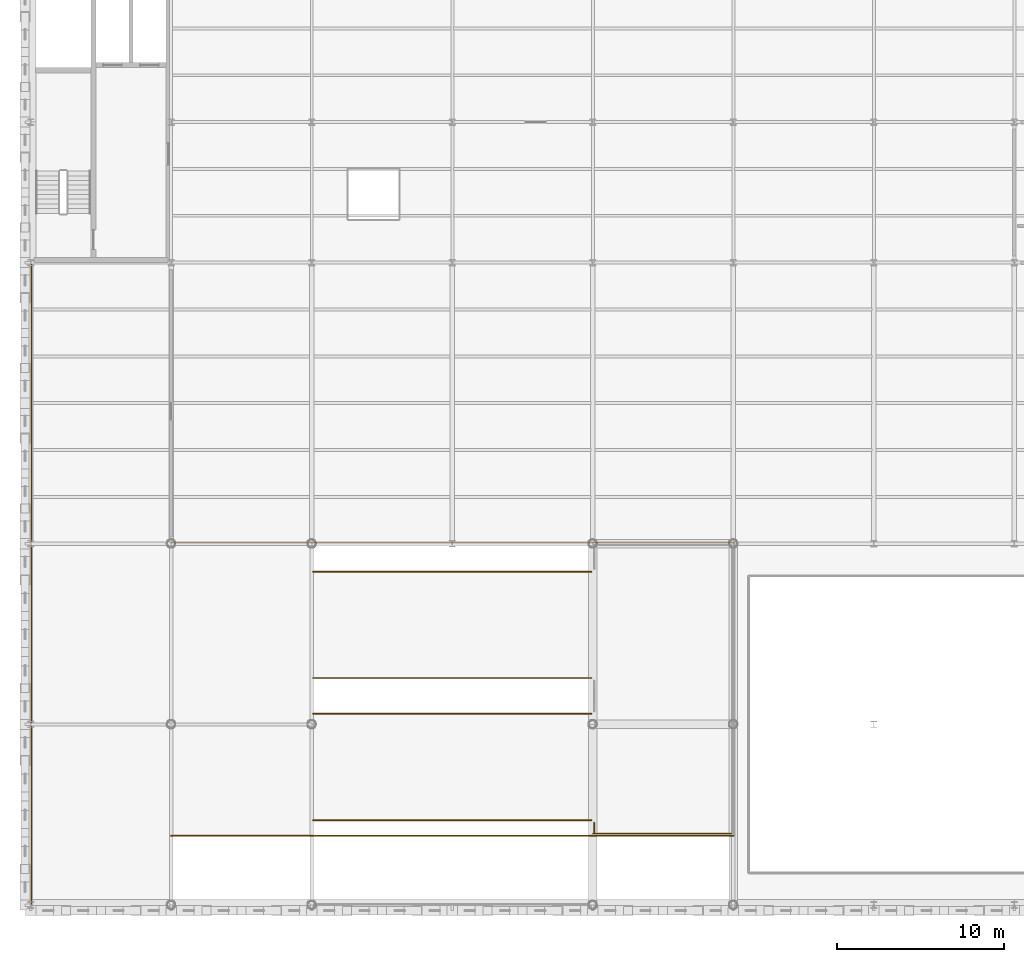
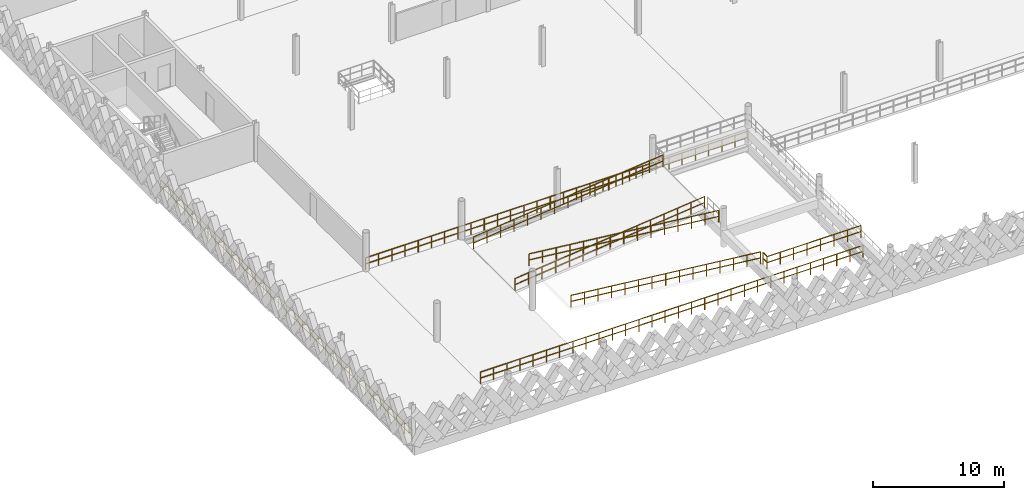
# One storey, part 64 of 74: 9 railings.
"""IFC4 building model written with IfcOpenShell, lengths in metres."""

from ifc_helpers import new_model, si_unit, direction, frame, origin, origin_2d, place, context, subcontext, project, spatial, circle, extrude, material, type_object, element, save


model = new_model("IFC4")

# Units and contexts
model_context = context("Model", 3, precision=1e-05, world=origin(), true_north=direction((0.0, 1.0)))
body_context = subcontext(model_context, "Body", "Model", "MODEL_VIEW")
ifc_project = project(units=[si_unit("LENGTHUNIT", "METRE"), si_unit("AREAUNIT", "SQUARE_METRE"), si_unit("VOLUMEUNIT", "CUBIC_METRE"), si_unit("PLANEANGLEUNIT", "RADIAN"), si_unit("MASSUNIT", "GRAM", prefix="KILO"), si_unit("THERMODYNAMICTEMPERATUREUNIT", "KELVIN"), si_unit("POWERUNIT", "WATT")], contexts=[model_context])

# Site, building, storey
site_placement = place(None, origin())
site = spatial("IfcSite", under=ifc_project, at=site_placement, CompositionType="ELEMENT")
building_placement = place(site_placement, origin())
building = spatial("IfcBuilding", under=site, at=building_placement, Name="Tembeka Court Mobility Hub", CompositionType="ELEMENT")
storey_placement = place(building_placement, frame((0.0, 0.0, 12.60009765625)))
storey = spatial("IfcBuildingStorey", under=building, at=storey_placement, Name="L03", CompositionType="ELEMENT", Elevation=12.60009765625)

# Railings
ifc_material = material(Name="Painted galvanised steel balustrade", Category="steel")
railing_type = type_object("IfcRailingType", Name="RL-GR02", PredefinedType="GUARDRAIL", material=ifc_material)
railing_1_placement = place(storey_placement, frame((0.050048828125, 0.080078125, 0.0)))
element("IfcRailing", 1, at=railing_1_placement, inside=storey, type_object=railing_type, Name="Perimeter guard GR02-0121", PredefinedType="GUARDRAIL", context=body_context, shape_type="SweptSolid", body=[
    extrude(circle(Radius=0.02392578125, at=origin_2d()), frame((0.0, 0.0, 1.09619140625), z_axis=(0.0, 1.0, 0.0), x_axis=(-1.0, 0.0, 0.0)), (0.0, 0.0, 1.0), 38.2900390625),
    extrude(circle(Radius=0.02392578125, at=origin_2d()), frame((0.0, 0.0, 0.5361328125), z_axis=(0.0, 1.0, 0.0), x_axis=(-1.0, 0.0, 0.0)), (0.0, 0.0, 1.0), 38.2900390625),
    extrude(circle(Radius=0.02099609375, at=origin_2d()), origin(), (0.0, 0.0, 1.0), 1.072021484375),
    extrude(circle(Radius=0.02099609375, at=origin_2d()), frame((0.0, 1.196533203125, 0.0)), (0.0, 0.0, 1.0), 1.072021484375),
    extrude(circle(Radius=0.02099609375, at=origin_2d()), frame((0.0, 2.39306640625, 0.0)), (0.0, 0.0, 1.0), 1.072021484375),
    extrude(circle(Radius=0.02099609375, at=origin_2d()), frame((0.0, 3.589599609375, 0.0)), (0.0, 0.0, 1.0), 1.072021484375),
    extrude(circle(Radius=0.02099609375, at=origin_2d()), frame((0.0, 4.7861328125, 0.0)), (0.0, 0.0, 1.0), 1.072021484375),
    extrude(circle(Radius=0.02099609375, at=origin_2d()), frame((0.0, 5.98291015625, 0.0)), (0.0, 0.0, 1.0), 1.072021484375),
    extrude(circle(Radius=0.02099609375, at=origin_2d()), frame((0.0, 7.179443359375, 0.0)), (0.0, 0.0, 1.0), 1.072021484375),
    extrude(circle(Radius=0.02099609375, at=origin_2d()), frame((0.0, 8.3759765625, 0.0)), (0.0, 0.0, 1.0), 1.072021484375),
    extrude(circle(Radius=0.02099609375, at=origin_2d()), frame((0.0, 9.572509765625, 0.0)), (0.0, 0.0, 1.0), 1.072021484375),
    extrude(circle(Radius=0.02099609375, at=origin_2d()), frame((0.0, 10.76904296875, 0.0)), (0.0, 0.0, 1.0), 1.072021484375),
    extrude(circle(Radius=0.02099609375, at=origin_2d()), frame((0.0, 11.965576171875, 0.0)), (0.0, 0.0, 1.0), 1.072021484375),
    extrude(circle(Radius=0.02099609375, at=origin_2d()), frame((0.0, 13.162109375, 0.0)), (0.0, 0.0, 1.0), 1.072021484375),
    extrude(circle(Radius=0.02099609375, at=origin_2d()), frame((0.0, 14.35888671875, 0.0)), (0.0, 0.0, 1.0), 1.072021484375),
    extrude(circle(Radius=0.02099609375, at=origin_2d()), frame((0.0, 15.555419921875, 0.0)), (0.0, 0.0, 1.0), 1.072021484375),
    extrude(circle(Radius=0.02099609375, at=origin_2d()), frame((0.0, 16.751953125, 0.0)), (0.0, 0.0, 1.0), 1.072021484375),
    extrude(circle(Radius=0.02099609375, at=origin_2d()), frame((0.0, 17.948486328125, 0.0)), (0.0, 0.0, 1.0), 1.072021484375),
    extrude(circle(Radius=0.02099609375, at=origin_2d()), frame((0.0, 19.14501953125, 0.0)), (0.0, 0.0, 1.0), 1.072021484375),
    extrude(circle(Radius=0.02099609375, at=origin_2d()), frame((0.0, 20.341552734375, 0.0)), (0.0, 0.0, 1.0), 1.072021484375),
    extrude(circle(Radius=0.02099609375, at=origin_2d()), frame((0.0, 21.5380859375, 0.0)), (0.0, 0.0, 1.0), 1.072021484375),
    extrude(circle(Radius=0.02099609375, at=origin_2d()), frame((0.0, 22.734619140625, 0.0)), (0.0, 0.0, 1.0), 1.072021484375),
    extrude(circle(Radius=0.02099609375, at=origin_2d()), frame((0.0, 23.93115234375, 0.0)), (0.0, 0.0, 1.0), 1.072021484375),
    extrude(circle(Radius=0.02099609375, at=origin_2d()), frame((0.0, 25.1279296875, 0.0)), (0.0, 0.0, 1.0), 1.072021484375),
    extrude(circle(Radius=0.02099609375, at=origin_2d()), frame((0.0, 26.324462890625, 0.0)), (0.0, 0.0, 1.0), 1.072021484375),
    extrude(circle(Radius=0.02099609375, at=origin_2d()), frame((0.0, 27.52099609375, 0.0)), (0.0, 0.0, 1.0), 1.072021484375),
    extrude(circle(Radius=0.02099609375, at=origin_2d()), frame((0.0, 28.717529296875, 0.0)), (0.0, 0.0, 1.0), 1.072021484375),
    extrude(circle(Radius=0.02099609375, at=origin_2d()), frame((0.0, 29.9140625, 0.0)), (0.0, 0.0, 1.0), 1.072021484375),
    extrude(circle(Radius=0.02099609375, at=origin_2d()), frame((0.0, 31.110595703125, 0.0)), (0.0, 0.0, 1.0), 1.072021484375),
    extrude(circle(Radius=0.02099609375, at=origin_2d()), frame((0.0, 32.30712890625, 0.0)), (0.0, 0.0, 1.0), 1.072021484375),
    extrude(circle(Radius=0.02099609375, at=origin_2d()), frame((0.0, 33.50390625, 0.0)), (0.0, 0.0, 1.0), 1.072021484375),
    extrude(circle(Radius=0.02099609375, at=origin_2d()), frame((0.0, 34.700439453125, 0.0)), (0.0, 0.0, 1.0), 1.072021484375),
    extrude(circle(Radius=0.02099609375, at=origin_2d()), frame((0.0, 35.89697265625, 0.0)), (0.0, 0.0, 1.0), 1.072021484375),
    extrude(circle(Radius=0.02099609375, at=origin_2d()), frame((0.0, 37.093505859375, 0.0)), (0.0, 0.0, 1.0), 1.072021484375),
    extrude(circle(Radius=0.02099609375, at=origin_2d()), frame((0.0, 38.2900390625, 0.0)), (0.0, 0.0, 1.0), 1.072021484375),
])
railing_2_placement = place(storey_placement, frame((8.3798828125, 4.14990234375, 0.0)))
element("IfcRailing", 2, at=railing_2_placement, inside=storey, type_object=railing_type, Name="Perimeter guard GR02-0268", PredefinedType="GUARDRAIL", context=body_context, shape_type="SweptSolid", body=[
    extrude(circle(Radius=0.02392578125, at=origin_2d()), frame((0.0, 0.0, 1.09619140625), z_axis=(1.0, 0.0, 0.0), x_axis=(0.0, 1.0, 0.0)), (0.0, 0.0, 1.0), 33.64013671875),
    extrude(circle(Radius=0.02392578125, at=origin_2d()), frame((0.0, 0.0, 0.5361328125), z_axis=(1.0, 0.0, 0.0), x_axis=(0.0, 1.0, 0.0)), (0.0, 0.0, 1.0), 33.64013671875),
    extrude(circle(Radius=0.02099609375, at=origin_2d()), origin(), (0.0, 0.0, 1.0), 1.072021484375),
    extrude(circle(Radius=0.02099609375, at=origin_2d()), frame((1.159912109375, 0.0, 0.0)), (0.0, 0.0, 1.0), 1.072021484375),
    extrude(circle(Radius=0.02099609375, at=origin_2d()), frame((2.320068359375, 0.0, 0.0)), (0.0, 0.0, 1.0), 1.072021484375),
    extrude(circle(Radius=0.02099609375, at=origin_2d()), frame((3.47998046875, 0.0, 0.0)), (0.0, 0.0, 1.0), 1.072021484375),
    extrude(circle(Radius=0.02099609375, at=origin_2d()), frame((4.64013671875, 0.0, 0.0)), (0.0, 0.0, 1.0), 1.072021484375),
    extrude(circle(Radius=0.02099609375, at=origin_2d()), frame((5.800048828125, 0.0, 0.0)), (0.0, 0.0, 1.0), 1.072021484375),
    extrude(circle(Radius=0.02099609375, at=origin_2d()), frame((6.9599609375, 0.0, 0.0)), (0.0, 0.0, 1.0), 1.072021484375),
    extrude(circle(Radius=0.02099609375, at=origin_2d()), frame((8.1201171875, 0.0, 0.0)), (0.0, 0.0, 1.0), 1.072021484375),
    extrude(circle(Radius=0.02099609375, at=origin_2d()), frame((9.280029296875, 0.0, 0.0)), (0.0, 0.0, 1.0), 1.072021484375),
    extrude(circle(Radius=0.02099609375, at=origin_2d()), frame((10.43994140625, 0.0, 0.0)), (0.0, 0.0, 1.0), 1.072021484375),
    extrude(circle(Radius=0.02099609375, at=origin_2d()), frame((11.60009765625, 0.0, 0.0)), (0.0, 0.0, 1.0), 1.072021484375),
    extrude(circle(Radius=0.02099609375, at=origin_2d()), frame((12.760009765625, 0.0, 0.0)), (0.0, 0.0, 1.0), 1.072021484375),
    extrude(circle(Radius=0.02099609375, at=origin_2d()), frame((13.920166015625, 0.0, 0.0)), (0.0, 0.0, 1.0), 1.072021484375),
    extrude(circle(Radius=0.02099609375, at=origin_2d()), frame((15.080078125, 0.0, 0.0)), (0.0, 0.0, 1.0), 1.072021484375),
    extrude(circle(Radius=0.02099609375, at=origin_2d()), frame((16.239990234375, 0.0, 0.0)), (0.0, 0.0, 1.0), 1.072021484375),
    extrude(circle(Radius=0.02099609375, at=origin_2d()), frame((17.400146484375, 0.0, 0.0)), (0.0, 0.0, 1.0), 1.072021484375),
    extrude(circle(Radius=0.02099609375, at=origin_2d()), frame((18.56005859375, 0.0, 0.0)), (0.0, 0.0, 1.0), 1.072021484375),
    extrude(circle(Radius=0.02099609375, at=origin_2d()), frame((19.719970703125, 0.0, 0.0)), (0.0, 0.0, 1.0), 1.072021484375),
    extrude(circle(Radius=0.02099609375, at=origin_2d()), frame((20.880126953125, 0.0, 0.0)), (0.0, 0.0, 1.0), 1.072021484375),
    extrude(circle(Radius=0.02099609375, at=origin_2d()), frame((22.0400390625, 0.0, 0.0)), (0.0, 0.0, 1.0), 1.072021484375),
    extrude(circle(Radius=0.02099609375, at=origin_2d()), frame((23.2001953125, 0.0, 0.0)), (0.0, 0.0, 1.0), 1.072021484375),
    extrude(circle(Radius=0.02099609375, at=origin_2d()), frame((24.360107421875, 0.0, 0.0)), (0.0, 0.0, 1.0), 1.072021484375),
    extrude(circle(Radius=0.02099609375, at=origin_2d()), frame((25.52001953125, 0.0, 0.0)), (0.0, 0.0, 1.0), 1.072021484375),
    extrude(circle(Radius=0.02099609375, at=origin_2d()), frame((26.68017578125, 0.0, 0.0)), (0.0, 0.0, 1.0), 1.072021484375),
    extrude(circle(Radius=0.02099609375, at=origin_2d()), frame((27.840087890625, 0.0, 0.0)), (0.0, 0.0, 1.0), 1.072021484375),
    extrude(circle(Radius=0.02099609375, at=origin_2d()), frame((29.0, 0.0, 0.0)), (0.0, 0.0, 1.0), 1.072021484375),
    extrude(circle(Radius=0.02099609375, at=origin_2d()), frame((30.16015625, 0.0, 0.0)), (0.0, 0.0, 1.0), 1.072021484375),
    extrude(circle(Radius=0.02099609375, at=origin_2d()), frame((31.320068359375, 0.0, 0.0)), (0.0, 0.0, 1.0), 1.072021484375),
    extrude(circle(Radius=0.02099609375, at=origin_2d()), frame((32.480224609375, 0.0, 0.0)), (0.0, 0.0, 1.0), 1.072021484375),
    extrude(circle(Radius=0.02099609375, at=origin_2d()), frame((33.64013671875, 0.0, 0.0)), (0.0, 0.0, 1.0), 1.072021484375),
])
railing_3_placement = place(storey_placement, frame((8.3798828125, 21.64990234375, 0.0)))
element("IfcRailing", 3, at=railing_3_placement, inside=storey, type_object=railing_type, Name="Perimeter guard GR02-0269", PredefinedType="GUARDRAIL", context=body_context, shape_type="SweptSolid", body=[
    extrude(circle(Radius=0.02392578125, at=origin_2d()), frame((0.0, 0.0, 1.09619140625), z_axis=(1.0, 0.0, 0.0), x_axis=(0.0, 1.0, 0.0)), (0.0, 0.0, 1.0), 33.64013671875),
    extrude(circle(Radius=0.02392578125, at=origin_2d()), frame((0.0, 0.0, 0.5361328125), z_axis=(1.0, 0.0, 0.0), x_axis=(0.0, 1.0, 0.0)), (0.0, 0.0, 1.0), 33.64013671875),
    extrude(circle(Radius=0.02099609375, at=origin_2d()), origin(), (0.0, 0.0, 1.0), 1.072021484375),
    extrude(circle(Radius=0.02099609375, at=origin_2d()), frame((1.159912109375, 0.0, 0.0)), (0.0, 0.0, 1.0), 1.072021484375),
    extrude(circle(Radius=0.02099609375, at=origin_2d()), frame((2.320068359375, 0.0, 0.0)), (0.0, 0.0, 1.0), 1.072021484375),
    extrude(circle(Radius=0.02099609375, at=origin_2d()), frame((3.47998046875, 0.0, 0.0)), (0.0, 0.0, 1.0), 1.072021484375),
    extrude(circle(Radius=0.02099609375, at=origin_2d()), frame((4.64013671875, 0.0, 0.0)), (0.0, 0.0, 1.0), 1.072021484375),
    extrude(circle(Radius=0.02099609375, at=origin_2d()), frame((5.800048828125, 0.0, 0.0)), (0.0, 0.0, 1.0), 1.072021484375),
    extrude(circle(Radius=0.02099609375, at=origin_2d()), frame((6.9599609375, 0.0, 0.0)), (0.0, 0.0, 1.0), 1.072021484375),
    extrude(circle(Radius=0.02099609375, at=origin_2d()), frame((8.1201171875, 0.0, 0.0)), (0.0, 0.0, 1.0), 1.072021484375),
    extrude(circle(Radius=0.02099609375, at=origin_2d()), frame((9.280029296875, 0.0, 0.0)), (0.0, 0.0, 1.0), 1.072021484375),
    extrude(circle(Radius=0.02099609375, at=origin_2d()), frame((10.43994140625, 0.0, 0.0)), (0.0, 0.0, 1.0), 1.072021484375),
    extrude(circle(Radius=0.02099609375, at=origin_2d()), frame((11.60009765625, 0.0, 0.0)), (0.0, 0.0, 1.0), 1.072021484375),
    extrude(circle(Radius=0.02099609375, at=origin_2d()), frame((12.760009765625, 0.0, 0.0)), (0.0, 0.0, 1.0), 1.072021484375),
    extrude(circle(Radius=0.02099609375, at=origin_2d()), frame((13.920166015625, 0.0, 0.0)), (0.0, 0.0, 1.0), 1.072021484375),
    extrude(circle(Radius=0.02099609375, at=origin_2d()), frame((15.080078125, 0.0, 0.0)), (0.0, 0.0, 1.0), 1.072021484375),
    extrude(circle(Radius=0.02099609375, at=origin_2d()), frame((16.239990234375, 0.0, 0.0)), (0.0, 0.0, 1.0), 1.072021484375),
    extrude(circle(Radius=0.02099609375, at=origin_2d()), frame((17.400146484375, 0.0, 0.0)), (0.0, 0.0, 1.0), 1.072021484375),
    extrude(circle(Radius=0.02099609375, at=origin_2d()), frame((18.56005859375, 0.0, 0.0)), (0.0, 0.0, 1.0), 1.072021484375),
    extrude(circle(Radius=0.02099609375, at=origin_2d()), frame((19.719970703125, 0.0, 0.0)), (0.0, 0.0, 1.0), 1.072021484375),
    extrude(circle(Radius=0.02099609375, at=origin_2d()), frame((20.880126953125, 0.0, 0.0)), (0.0, 0.0, 1.0), 1.072021484375),
    extrude(circle(Radius=0.02099609375, at=origin_2d()), frame((22.0400390625, 0.0, 0.0)), (0.0, 0.0, 1.0), 1.072021484375),
    extrude(circle(Radius=0.02099609375, at=origin_2d()), frame((23.2001953125, 0.0, 0.0)), (0.0, 0.0, 1.0), 1.072021484375),
    extrude(circle(Radius=0.02099609375, at=origin_2d()), frame((24.360107421875, 0.0, 0.0)), (0.0, 0.0, 1.0), 1.072021484375),
    extrude(circle(Radius=0.02099609375, at=origin_2d()), frame((25.52001953125, 0.0, 0.0)), (0.0, 0.0, 1.0), 1.072021484375),
    extrude(circle(Radius=0.02099609375, at=origin_2d()), frame((26.68017578125, 0.0, 0.0)), (0.0, 0.0, 1.0), 1.072021484375),
    extrude(circle(Radius=0.02099609375, at=origin_2d()), frame((27.840087890625, 0.0, 0.0)), (0.0, 0.0, 1.0), 1.072021484375),
    extrude(circle(Radius=0.02099609375, at=origin_2d()), frame((29.0, 0.0, 0.0)), (0.0, 0.0, 1.0), 1.072021484375),
    extrude(circle(Radius=0.02099609375, at=origin_2d()), frame((30.16015625, 0.0, 0.0)), (0.0, 0.0, 1.0), 1.072021484375),
    extrude(circle(Radius=0.02099609375, at=origin_2d()), frame((31.320068359375, 0.0, 0.0)), (0.0, 0.0, 1.0), 1.072021484375),
    extrude(circle(Radius=0.02099609375, at=origin_2d()), frame((32.480224609375, 0.0, 0.0)), (0.0, 0.0, 1.0), 1.072021484375),
    extrude(circle(Radius=0.02099609375, at=origin_2d()), frame((33.64013671875, 0.0, 0.0)), (0.0, 0.0, 1.0), 1.072021484375),
])
railing_4_placement = place(storey_placement, frame((16.869873046875, 13.570068359375, 0.003173828125)))
element("IfcRailing", 4, at=railing_4_placement, inside=storey, type_object=railing_type, Name="Perimeter guard GR02-0317", PredefinedType="GUARDRAIL", context=body_context, shape_type="SweptSolid", body=[
    extrude(circle(Radius=0.02392578125, at=origin_2d()), frame((0.0, 0.0, 1.09619140625), z_axis=(0.994255840215, 0.0, 0.107029548251), x_axis=(0.0, 1.0, 0.0)), (0.0, 0.0, 1.0), 16.756591796875),
    extrude(circle(Radius=0.02392578125, at=origin_2d()), frame((0.0, 0.0, 0.5361328125), z_axis=(0.994255840215, 0.0, 0.107029548251), x_axis=(0.0, 1.0, 0.0)), (0.0, 0.0, 1.0), 16.756591796875),
    extrude(circle(Radius=0.02099609375, at=origin_2d()), origin(), (0.0, 0.0, 1.0), 1.072021484375),
    extrude(circle(Radius=0.02099609375, at=origin_2d()), frame((1.18994140625, 0.0, 0.128173828125)), (0.0, 0.0, 1.0), 1.072021484375),
    extrude(circle(Radius=0.02099609375, at=origin_2d()), frame((2.380126953125, 0.0, 0.256103515625)), (0.0, 0.0, 1.0), 1.072021484375),
    extrude(circle(Radius=0.02099609375, at=origin_2d()), frame((3.570068359375, 0.0, 0.38427734375)), (0.0, 0.0, 1.0), 1.072021484375),
    extrude(circle(Radius=0.02099609375, at=origin_2d()), frame((4.760009765625, 0.0, 0.512451171875)), (0.0, 0.0, 1.0), 1.072021484375),
    extrude(circle(Radius=0.02099609375, at=origin_2d()), frame((5.9501953125, 0.0, 0.640625)), (0.0, 0.0, 1.0), 1.072021484375),
    extrude(circle(Radius=0.02099609375, at=origin_2d()), frame((7.14013671875, 0.0, 0.7685546875)), (0.0, 0.0, 1.0), 1.072021484375),
    extrude(circle(Radius=0.02099609375, at=origin_2d()), frame((8.330078125, 0.0, 0.896728515625)), (0.0, 0.0, 1.0), 1.072021484375),
    extrude(circle(Radius=0.02099609375, at=origin_2d()), frame((9.520263671875, 0.0, 1.02490234375)), (0.0, 0.0, 1.0), 1.072021484375),
    extrude(circle(Radius=0.02099609375, at=origin_2d()), frame((10.710205078125, 0.0, 1.15283203125)), (0.0, 0.0, 1.0), 1.072021484375),
    extrude(circle(Radius=0.02099609375, at=origin_2d()), frame((11.900390625, 0.0, 1.281005859375)), (0.0, 0.0, 1.0), 1.072021484375),
    extrude(circle(Radius=0.02099609375, at=origin_2d()), frame((13.09033203125, 0.0, 1.4091796875)), (0.0, 0.0, 1.0), 1.072021484375),
    extrude(circle(Radius=0.02099609375, at=origin_2d()), frame((14.2802734375, 0.0, 1.537353515625)), (0.0, 0.0, 1.0), 1.072021484375),
    extrude(circle(Radius=0.02099609375, at=origin_2d()), frame((15.470458984375, 0.0, 1.665283203125)), (0.0, 0.0, 1.0), 1.072021484375),
    extrude(circle(Radius=0.02099609375, at=origin_2d()), frame((16.660400390625, 0.0, 1.79345703125)), (0.0, 0.0, 1.0), 1.072021484375),
])
railing_5_placement = place(storey_placement, frame((33.5302734375, 5.070068359375, 1.80322265625)))
element("IfcRailing", 5, at=railing_5_placement, inside=storey, type_object=railing_type, Name="Perimeter guard GR02-0318", PredefinedType="GUARDRAIL", context=body_context, shape_type="SweptSolid", body=[
    extrude(circle(Radius=0.02392578125, at=origin_2d()), frame((0.0, 0.0, 1.09619140625), z_axis=(-0.994255840215, 0.0, 0.107029548251), x_axis=(0.0, -1.0, 0.0)), (0.0, 0.0, 1.0), 16.756591796875),
    extrude(circle(Radius=0.02392578125, at=origin_2d()), frame((0.0, 0.0, 0.5361328125), z_axis=(-0.994255840215, 0.0, 0.107029548251), x_axis=(0.0, -1.0, 0.0)), (0.0, 0.0, 1.0), 16.756591796875),
    extrude(circle(Radius=0.02099609375, at=origin_2d()), origin(), (0.0, 0.0, 1.0), 1.072021484375),
    extrude(circle(Radius=0.02099609375, at=origin_2d()), frame((-1.18994140625, 0.0, 0.128173828125)), (0.0, 0.0, 1.0), 1.072021484375),
    extrude(circle(Radius=0.02099609375, at=origin_2d()), frame((-2.380126953125, 0.0, 0.256103515625)), (0.0, 0.0, 1.0), 1.072021484375),
    extrude(circle(Radius=0.02099609375, at=origin_2d()), frame((-3.570068359375, 0.0, 0.38427734375)), (0.0, 0.0, 1.0), 1.072021484375),
    extrude(circle(Radius=0.02099609375, at=origin_2d()), frame((-4.760009765625, 0.0, 0.512451171875)), (0.0, 0.0, 1.0), 1.072021484375),
    extrude(circle(Radius=0.02099609375, at=origin_2d()), frame((-5.9501953125, 0.0, 0.640625)), (0.0, 0.0, 1.0), 1.072021484375),
    extrude(circle(Radius=0.02099609375, at=origin_2d()), frame((-7.14013671875, 0.0, 0.7685546875)), (0.0, 0.0, 1.0), 1.072021484375),
    extrude(circle(Radius=0.02099609375, at=origin_2d()), frame((-8.330078125, 0.0, 0.896728515625)), (0.0, 0.0, 1.0), 1.072021484375),
    extrude(circle(Radius=0.02099609375, at=origin_2d()), frame((-9.520263671875, 0.0, 1.02490234375)), (0.0, 0.0, 1.0), 1.072021484375),
    extrude(circle(Radius=0.02099609375, at=origin_2d()), frame((-10.710205078125, 0.0, 1.15283203125)), (0.0, 0.0, 1.0), 1.072021484375),
    extrude(circle(Radius=0.02099609375, at=origin_2d()), frame((-11.900390625, 0.0, 1.281005859375)), (0.0, 0.0, 1.0), 1.072021484375),
    extrude(circle(Radius=0.02099609375, at=origin_2d()), frame((-13.09033203125, 0.0, 1.4091796875)), (0.0, 0.0, 1.0), 1.072021484375),
    extrude(circle(Radius=0.02099609375, at=origin_2d()), frame((-14.2802734375, 0.0, 1.537353515625)), (0.0, 0.0, 1.0), 1.072021484375),
    extrude(circle(Radius=0.02099609375, at=origin_2d()), frame((-15.470458984375, 0.0, 1.665283203125)), (0.0, 0.0, 1.0), 1.072021484375),
    extrude(circle(Radius=0.02099609375, at=origin_2d()), frame((-16.660400390625, 0.0, 1.79345703125)), (0.0, 0.0, 1.0), 1.072021484375),
])
railing_6_placement = place(storey_placement, frame((16.869873046875, 19.929931640625, 0.003173828125)))
element("IfcRailing", 6, at=railing_6_placement, inside=storey, type_object=railing_type, Name="Perimeter guard GR02-0319", PredefinedType="GUARDRAIL", context=body_context, shape_type="SweptSolid", body=[
    extrude(circle(Radius=0.02392578125, at=origin_2d()), frame((0.0, 0.0, 1.09619140625), z_axis=(0.994255840215, 0.0, 0.107029548251), x_axis=(0.0, 1.0, 0.0)), (0.0, 0.0, 1.0), 16.756591796875),
    extrude(circle(Radius=0.02392578125, at=origin_2d()), frame((0.0, 0.0, 0.5361328125), z_axis=(0.994255840215, 0.0, 0.107029548251), x_axis=(0.0, 1.0, 0.0)), (0.0, 0.0, 1.0), 16.756591796875),
    extrude(circle(Radius=0.02099609375, at=origin_2d()), origin(), (0.0, 0.0, 1.0), 1.072021484375),
    extrude(circle(Radius=0.02099609375, at=origin_2d()), frame((1.18994140625, 0.0, 0.128173828125)), (0.0, 0.0, 1.0), 1.072021484375),
    extrude(circle(Radius=0.02099609375, at=origin_2d()), frame((2.380126953125, 0.0, 0.256103515625)), (0.0, 0.0, 1.0), 1.072021484375),
    extrude(circle(Radius=0.02099609375, at=origin_2d()), frame((3.570068359375, 0.0, 0.38427734375)), (0.0, 0.0, 1.0), 1.072021484375),
    extrude(circle(Radius=0.02099609375, at=origin_2d()), frame((4.760009765625, 0.0, 0.512451171875)), (0.0, 0.0, 1.0), 1.072021484375),
    extrude(circle(Radius=0.02099609375, at=origin_2d()), frame((5.9501953125, 0.0, 0.640625)), (0.0, 0.0, 1.0), 1.072021484375),
    extrude(circle(Radius=0.02099609375, at=origin_2d()), frame((7.14013671875, 0.0, 0.7685546875)), (0.0, 0.0, 1.0), 1.072021484375),
    extrude(circle(Radius=0.02099609375, at=origin_2d()), frame((8.330078125, 0.0, 0.896728515625)), (0.0, 0.0, 1.0), 1.072021484375),
    extrude(circle(Radius=0.02099609375, at=origin_2d()), frame((9.520263671875, 0.0, 1.02490234375)), (0.0, 0.0, 1.0), 1.072021484375),
    extrude(circle(Radius=0.02099609375, at=origin_2d()), frame((10.710205078125, 0.0, 1.15283203125)), (0.0, 0.0, 1.0), 1.072021484375),
    extrude(circle(Radius=0.02099609375, at=origin_2d()), frame((11.900390625, 0.0, 1.281005859375)), (0.0, 0.0, 1.0), 1.072021484375),
    extrude(circle(Radius=0.02099609375, at=origin_2d()), frame((13.09033203125, 0.0, 1.4091796875)), (0.0, 0.0, 1.0), 1.072021484375),
    extrude(circle(Radius=0.02099609375, at=origin_2d()), frame((14.2802734375, 0.0, 1.537353515625)), (0.0, 0.0, 1.0), 1.072021484375),
    extrude(circle(Radius=0.02099609375, at=origin_2d()), frame((15.470458984375, 0.0, 1.665283203125)), (0.0, 0.0, 1.0), 1.072021484375),
    extrude(circle(Radius=0.02099609375, at=origin_2d()), frame((16.660400390625, 0.0, 1.79345703125)), (0.0, 0.0, 1.0), 1.072021484375),
])
railing_7_placement = place(storey_placement, frame((33.5302734375, 11.429931640625, 1.80322265625)))
element("IfcRailing", 7, at=railing_7_placement, inside=storey, type_object=railing_type, Name="Perimeter guard GR02-0320", PredefinedType="GUARDRAIL", context=body_context, shape_type="SweptSolid", body=[
    extrude(circle(Radius=0.02392578125, at=origin_2d()), frame((0.0, 0.0, 1.09619140625), z_axis=(-0.994255840215, 0.0, 0.107029548251), x_axis=(0.0, -1.0, 0.0)), (0.0, 0.0, 1.0), 16.756591796875),
    extrude(circle(Radius=0.02392578125, at=origin_2d()), frame((0.0, 0.0, 0.5361328125), z_axis=(-0.994255840215, 0.0, 0.107029548251), x_axis=(0.0, -1.0, 0.0)), (0.0, 0.0, 1.0), 16.756591796875),
    extrude(circle(Radius=0.02099609375, at=origin_2d()), origin(), (0.0, 0.0, 1.0), 1.072021484375),
    extrude(circle(Radius=0.02099609375, at=origin_2d()), frame((-1.18994140625, 0.0, 0.128173828125)), (0.0, 0.0, 1.0), 1.072021484375),
    extrude(circle(Radius=0.02099609375, at=origin_2d()), frame((-2.380126953125, 0.0, 0.256103515625)), (0.0, 0.0, 1.0), 1.072021484375),
    extrude(circle(Radius=0.02099609375, at=origin_2d()), frame((-3.570068359375, 0.0, 0.38427734375)), (0.0, 0.0, 1.0), 1.072021484375),
    extrude(circle(Radius=0.02099609375, at=origin_2d()), frame((-4.760009765625, 0.0, 0.512451171875)), (0.0, 0.0, 1.0), 1.072021484375),
    extrude(circle(Radius=0.02099609375, at=origin_2d()), frame((-5.9501953125, 0.0, 0.640625)), (0.0, 0.0, 1.0), 1.072021484375),
    extrude(circle(Radius=0.02099609375, at=origin_2d()), frame((-7.14013671875, 0.0, 0.7685546875)), (0.0, 0.0, 1.0), 1.072021484375),
    extrude(circle(Radius=0.02099609375, at=origin_2d()), frame((-8.330078125, 0.0, 0.896728515625)), (0.0, 0.0, 1.0), 1.072021484375),
    extrude(circle(Radius=0.02099609375, at=origin_2d()), frame((-9.520263671875, 0.0, 1.02490234375)), (0.0, 0.0, 1.0), 1.072021484375),
    extrude(circle(Radius=0.02099609375, at=origin_2d()), frame((-10.710205078125, 0.0, 1.15283203125)), (0.0, 0.0, 1.0), 1.072021484375),
    extrude(circle(Radius=0.02099609375, at=origin_2d()), frame((-11.900390625, 0.0, 1.281005859375)), (0.0, 0.0, 1.0), 1.072021484375),
    extrude(circle(Radius=0.02099609375, at=origin_2d()), frame((-13.09033203125, 0.0, 1.4091796875)), (0.0, 0.0, 1.0), 1.072021484375),
    extrude(circle(Radius=0.02099609375, at=origin_2d()), frame((-14.2802734375, 0.0, 1.537353515625)), (0.0, 0.0, 1.0), 1.072021484375),
    extrude(circle(Radius=0.02099609375, at=origin_2d()), frame((-15.470458984375, 0.0, 1.665283203125)), (0.0, 0.0, 1.0), 1.072021484375),
    extrude(circle(Radius=0.02099609375, at=origin_2d()), frame((-16.660400390625, 0.0, 1.79345703125)), (0.0, 0.0, 1.0), 1.072021484375),
])
railing_8_placement = place(storey_placement, frame((33.6298828125, 4.280029296875, 1.7998046875)))
element("IfcRailing", 8, at=railing_8_placement, inside=storey, type_object=railing_type, Name="Perimeter guard GR02-0321", PredefinedType="GUARDRAIL", context=body_context, shape_type="SweptSolid", body=[
    extrude(circle(Radius=0.02392578125, at=origin_2d()), frame((0.0, 0.0, 1.09619140625), z_axis=(1.0, 0.0, 0.0), x_axis=(0.0, 1.0, 0.0)), (0.0, 0.0, 1.0), 8.260009765625),
    extrude(circle(Radius=0.02392578125, at=origin_2d()), frame((0.0, 0.0, 0.5361328125), z_axis=(1.0, 0.0, 0.0), x_axis=(0.0, 1.0, 0.0)), (0.0, 0.0, 1.0), 8.260009765625),
    extrude(circle(Radius=0.02099609375, at=origin_2d()), origin(), (0.0, 0.0, 1.0), 1.072021484375),
    extrude(circle(Radius=0.02099609375, at=origin_2d()), frame((1.179931640625, 0.0, 0.0)), (0.0, 0.0, 1.0), 1.072021484375),
    extrude(circle(Radius=0.02099609375, at=origin_2d()), frame((2.360107421875, 0.0, 0.0)), (0.0, 0.0, 1.0), 1.072021484375),
    extrude(circle(Radius=0.02099609375, at=origin_2d()), frame((3.5400390625, 0.0, 0.0)), (0.0, 0.0, 1.0), 1.072021484375),
    extrude(circle(Radius=0.02099609375, at=origin_2d()), frame((4.719970703125, 0.0, 0.0)), (0.0, 0.0, 1.0), 1.072021484375),
    extrude(circle(Radius=0.02099609375, at=origin_2d()), frame((5.89990234375, 0.0, 0.0)), (0.0, 0.0, 1.0), 1.072021484375),
    extrude(circle(Radius=0.02099609375, at=origin_2d()), frame((7.080078125, 0.0, 0.0)), (0.0, 0.0, 1.0), 1.072021484375),
    extrude(circle(Radius=0.02099609375, at=origin_2d()), frame((8.260009765625, 0.0, 0.0)), (0.0, 0.0, 1.0), 1.072021484375),
])
railing_9_placement = place(storey_placement, frame((33.679931640625, 4.31005859375, 1.7998046875)))
element("IfcRailing", 9, at=railing_9_placement, inside=storey, type_object=railing_type, Name="Perimeter guard GR02-0324", PredefinedType="GUARDRAIL", context=body_context, shape_type="SweptSolid", body=[
    extrude(circle(Radius=0.02392578125, at=origin_2d()), frame((0.0, 0.0, 1.09619140625), z_axis=(0.0, 1.0, 0.0), x_axis=(-1.0, 0.0, 0.0)), (0.0, 0.0, 1.0), 0.60986328125),
    extrude(circle(Radius=0.02392578125, at=origin_2d()), frame((0.0, 0.0, 0.5361328125), z_axis=(0.0, 1.0, 0.0), x_axis=(-1.0, 0.0, 0.0)), (0.0, 0.0, 1.0), 0.60986328125),
    extrude(circle(Radius=0.02099609375, at=origin_2d()), origin(), (0.0, 0.0, 1.0), 1.072021484375),
    extrude(circle(Radius=0.02099609375, at=origin_2d()), frame((0.0, 0.60986328125, 0.0)), (0.0, 0.0, 1.0), 1.072021484375),
])

save(model, "model.ifc")
